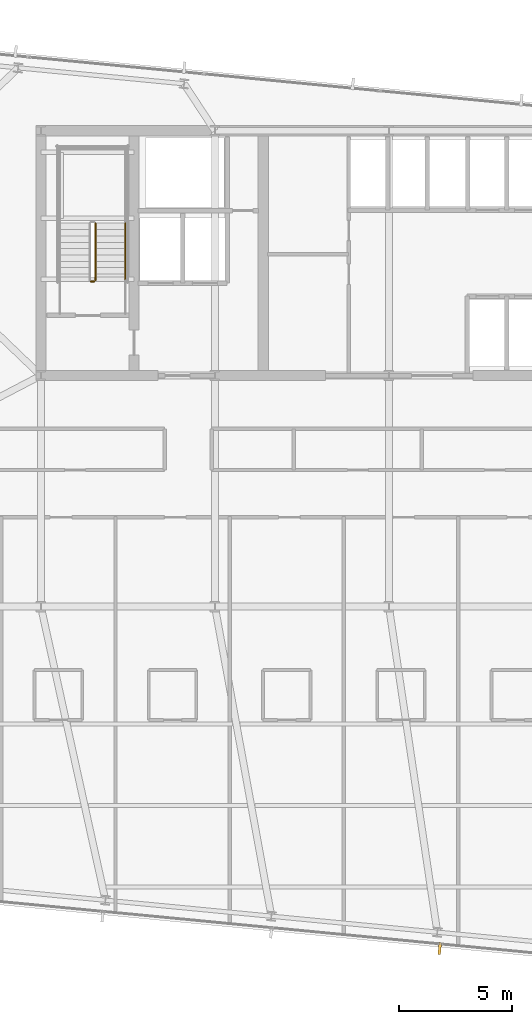
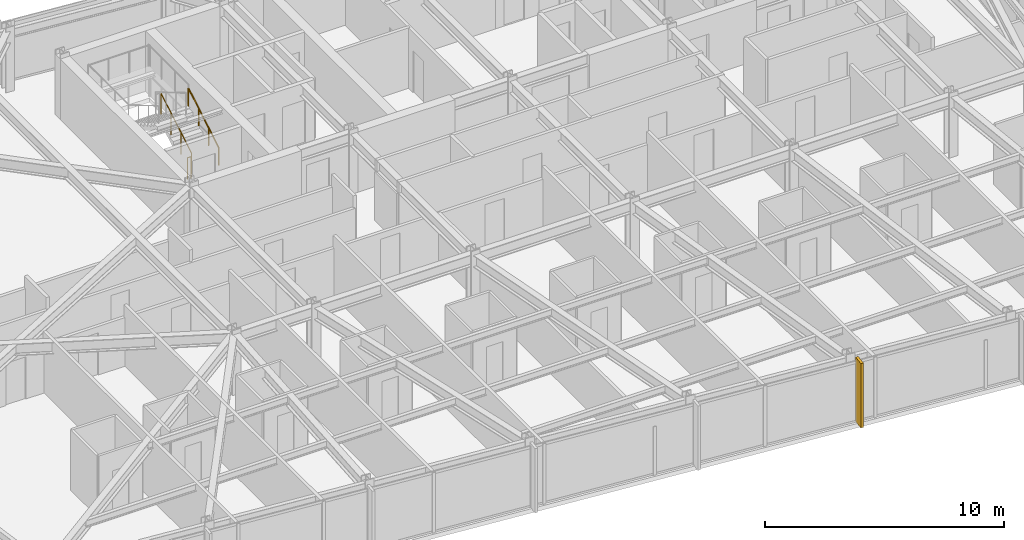
# One storey, part 34 of 37: 3 railings, 1 shading device.
"""IFC4 building model written with IfcOpenShell, lengths in metres."""

from ifc_helpers import new_model, si_unit, direction, frame, origin, origin_2d, place, context, subcontext, project, spatial, rectangle, circle, extrude, material, layer, layer_set, type_object, element, save


model = new_model("IFC4")

# Units and contexts
model_context = context("Model", 3, precision=1e-05, world=origin(), true_north=direction((0.0, 1.0)))
body_context = subcontext(model_context, "Body", "Model", "MODEL_VIEW")
ifc_project = project(units=[si_unit("LENGTHUNIT", "METRE"), si_unit("AREAUNIT", "SQUARE_METRE"), si_unit("VOLUMEUNIT", "CUBIC_METRE"), si_unit("PLANEANGLEUNIT", "RADIAN"), si_unit("MASSUNIT", "GRAM", prefix="KILO")], contexts=[model_context])

# Site, building, storey
site_placement = place(None, origin())
site = spatial("IfcSite", under=ifc_project, at=site_placement, CompositionType="ELEMENT")
building_placement = place(site_placement, origin())
building = spatial("IfcBuilding", under=site, at=building_placement, Name="Yelkora Congress Tower", CompositionType="ELEMENT")
storey_placement = place(building_placement, frame((0.0, 0.0, 182.0)))
storey = spatial("IfcBuildingStorey", under=building, at=storey_placement, Name="L50", CompositionType="ELEMENT", Elevation=182.0)

# Railings
ifc_material_1 = material(Name="Painted galvanised steel stair well guard with vertical infill", Category="steel")
ifc_layer_1 = layer(ifc_material_1, 0.06005859375)
ifc_layer_set_1 = layer_set([ifc_layer_1], Name="Painted galvanised steel stair well guard with vertical infill")
railing_type_1 = type_object("IfcRailingType", Name="RAIL-STAIR-GUARD-1120", PredefinedType="GUARDRAIL", material=ifc_layer_set_1)
railing_1_placement = place(storey_placement, frame((25.449951171875, 39.60009765625, 0.1650390625)))
element("IfcRailing", 1, at=railing_1_placement, inside=storey, type_object=railing_type_1, Name="ST-01 L50 Stair Well Guardrail 1", PredefinedType="GUARDRAIL", context=body_context, shape_type="SweptSolid", body=[
    extrude(circle(Radius=0.02392578125, at=origin_2d()), frame((0.0, 0.0, 1.09619140625), z_axis=(0.0, 0.861560626758, 0.507654692109), x_axis=(-1.0, 0.0, 0.0)), (0.0, 0.0, 1.0), 2.925048828125),
    extrude(circle(Radius=0.02099609375, at=origin_2d()), origin(), (0.0, 0.0, 1.0), 1.072021484375),
    extrude(circle(Radius=0.02099609375, at=origin_2d()), frame((0.0, 0.840087890625, 0.494873046875)), (0.0, 0.0, 1.0), 1.072021484375),
    extrude(circle(Radius=0.02099609375, at=origin_2d()), frame((0.0, 1.679931640625, 0.989990234375)), (0.0, 0.0, 1.0), 1.072021484375),
    extrude(circle(Radius=0.02099609375, at=origin_2d()), frame((0.0, 2.52001953125, 1.48486328125)), (0.0, 0.0, 1.0), 1.072021484375),
])
railing_2_placement = place(storey_placement, frame((25.39990234375, 39.550048828125, 0.0)))
element("IfcRailing", 2, at=railing_2_placement, inside=storey, type_object=railing_type_1, Name="ST-01 L50 Stair Well Guardrail 7", PredefinedType="GUARDRAIL", context=body_context, shape_type="SweptSolid", body=[
    extrude(circle(Radius=0.02392578125, at=origin_2d()), frame((0.0, 0.0, 1.09619140625), z_axis=(-1.0, 0.0, 0.0), x_axis=(0.0, -1.0, 0.0)), (0.0, 0.0, 1.0), 0.159912109375),
    extrude(circle(Radius=0.02099609375, at=origin_2d()), origin(), (0.0, 0.0, 1.0), 1.072021484375),
    extrude(circle(Radius=0.02099609375, at=origin_2d()), frame((-0.159912109375, 0.0, 0.0)), (0.0, 0.0, 1.0), 1.072021484375),
])
ifc_material_2 = material(Name="Brushed stainless steel tubular handrail", Category="steel")
ifc_layer_2 = layer(ifc_material_2, 0.050048828125)
ifc_layer_set_2 = layer_set([ifc_layer_2], Name="Brushed stainless steel tubular handrail")
railing_type_2 = type_object("IfcRailingType", Name="RAIL-STAIR-HAND-920", PredefinedType="HANDRAIL", material=ifc_layer_set_2)
railing_3_placement = place(storey_placement, frame((26.77001953125, 39.60009765625, 0.1650390625)))
element("IfcRailing", 3, at=railing_3_placement, inside=storey, type_object=railing_type_2, Name="ST-01 L50 Pitch Handrail 1", PredefinedType="HANDRAIL", context=body_context, shape_type="SweptSolid", body=[
    extrude(circle(Radius=0.02392578125, at=origin_2d()), frame((0.0, 0.0, 0.89599609375), z_axis=(0.0, 0.861560626758, 0.507654692109), x_axis=(-1.0, 0.0, 0.0)), (0.0, 0.0, 1.0), 2.925048828125),
    extrude(circle(Radius=0.02099609375, at=origin_2d()), origin(), (0.0, 0.0, 1.0), 0.871826171875),
    extrude(circle(Radius=0.02099609375, at=origin_2d()), frame((0.0, 0.840087890625, 0.494873046875)), (0.0, 0.0, 1.0), 0.871826171875),
    extrude(circle(Radius=0.02099609375, at=origin_2d()), frame((0.0, 1.679931640625, 0.989990234375)), (0.0, 0.0, 1.0), 0.871826171875),
    extrude(circle(Radius=0.02099609375, at=origin_2d()), frame((0.0, 2.52001953125, 1.48486328125)), (0.0, 0.0, 1.0), 0.871826171875),
])

# Shading device
ifc_material_3 = material(Name="Champagne anodised aluminium", Category="aluminium")
ifc_layer_3 = layer(ifc_material_3, 3.300048828125)
ifc_layer_set_3 = layer_set([ifc_layer_3], Name="Champagne anodised aluminium")
shading_device_type = type_object("IfcShadingDeviceType", Name="SHD-FIN-ALU-520", PredefinedType="USERDEFINED", material=ifc_layer_set_3)
shading_device_placement = place(storey_placement, frame((40.642333984375, 10.10791015625, -0.02978515625), z_axis=(0.0, 0.0, 1.0), x_axis=(-0.995396198367, 0.09584575252, 0.0)))
element("IfcShadingDevice", 4, at=shading_device_placement, inside=storey, type_object=shading_device_type, Name="L50 Vertical Anodised Solar Fin 20-2", ObjectType="FIN", PredefinedType="USERDEFINED", context=body_context, shape_type="SweptSolid", body=[
    extrude(rectangle(XDim=0.1201171875, YDim=0.52001953125, at=origin_2d()), origin(), (0.0, 0.0, 1.0), 3.280029296875),
])

save(model, "model.ifc")
